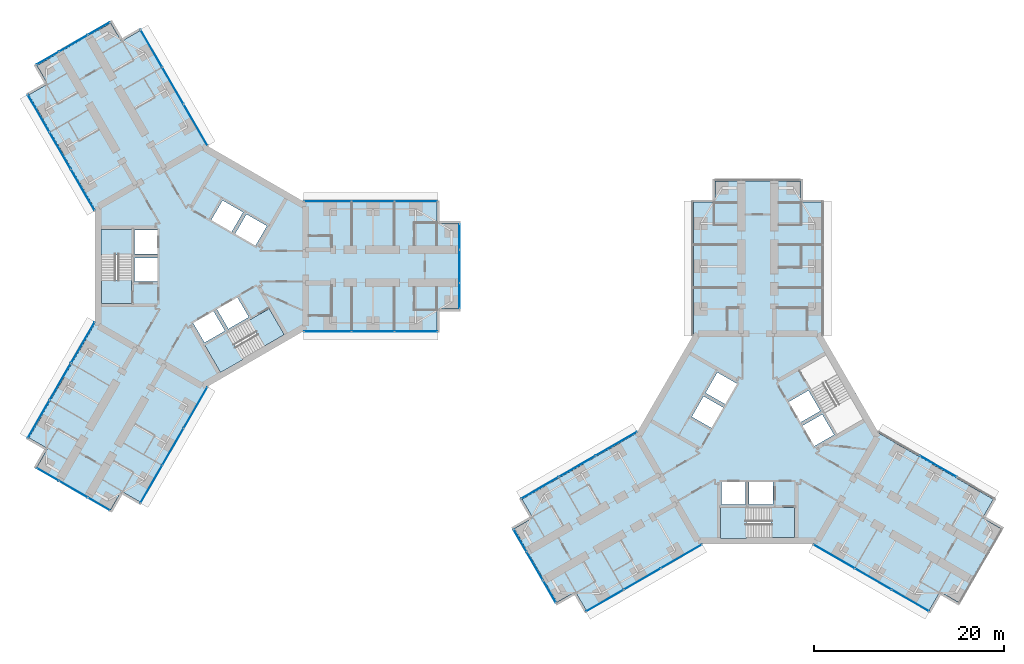
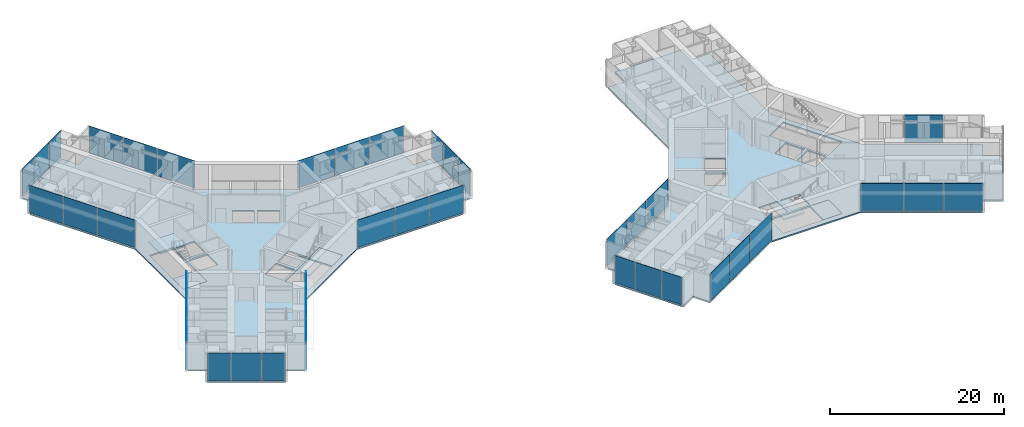
# One storey, part 14 of 25: 40 plates, 8 slabs, 17 elements without a shape of their own.
"""IFC4 building model written with IfcOpenShell, lengths in metres."""

import ifcopenshell
import ifcopenshell.guid

model = None  # the IFC model being written
_history = None  # IfcOwnerHistory: only IFC2X3 demands one
_inside = {}  # id of a spatial element -> (the spatial element, [elements in it])
_under = {}  # id of a project, library or spatial element -> (it, [spatial elements below it])
_declared = {}  # id of a project -> (the project, [libraries it declares])
_typed = {}  # id of a type object -> (the type object, [elements of that type])
_made_of = {}  # id of a material, layer set ... -> (it, [elements and type objects made of it])


def new_model(schema):
    """Start an empty IFC model of exactly this schema.

    Asked for "IFC4X3", IfcOpenShell would pick the latest addendum, in which some entities
    have other attributes; the version numbers below select the first issue.
    IFC2X3 requires an IfcOwnerHistory on every rooted entity: one is made here for all.
    """
    global model, _history
    if schema == "IFC4X3":
        model = ifcopenshell.file(schema_version=(4, 3, 0, 0))
    else:
        model = ifcopenshell.file(schema=schema)
    _inside.clear()
    _under.clear()
    _declared.clear()
    _typed.clear()
    _made_of.clear()
    _history = None
    if model.schema == "IFC2X3":
        org = make("IfcOrganization", Name="unknown")
        user = make(
            "IfcPersonAndOrganization",
            ThePerson=make("IfcPerson", FamilyName="unknown"),
            TheOrganization=org,
        )
        app = make(
            "IfcApplication",
            ApplicationDeveloper=org,
            Version="unknown",
            ApplicationFullName="unknown",
            ApplicationIdentifier="unknown",
        )
        _history = make(
            "IfcOwnerHistory",
            OwningUser=user,
            OwningApplication=app,
            ChangeAction="ADDED",
            CreationDate=0,
        )
    return model


def make(cls, **values):
    """One entity of the class cls with the attributes given. An attribute that is None is left unset."""
    return model.create_entity(
        cls, **{name: value for name, value in values.items() if value is not None}
    )


def rooted(cls, **values):
    """An entity with a GlobalId (a new one), such as an element, a storey or a relation."""
    return make(cls, GlobalId=ifcopenshell.guid.new(), OwnerHistory=_history, **values)


def si_unit(unit_type, name, prefix=None):
    """IfcSIUnit, for example si_unit("LENGTHUNIT", "METRE", prefix="MILLI")."""
    return make("IfcSIUnit", UnitType=unit_type, Prefix=prefix, Name=name)


def assignment(units):
    """IfcUnitAssignment: the units of a project."""
    return None if units is None else make("IfcUnitAssignment", Units=units)


def point(xyz):
    """IfcCartesianPoint."""
    return None if xyz is None else make("IfcCartesianPoint", Coordinates=xyz)


def direction(xyz):
    """IfcDirection."""
    return None if xyz is None else make("IfcDirection", DirectionRatios=xyz)


def frame(location, z_axis=None, x_axis=None):
    """IfcAxis2Placement3D, a coordinate frame: its origin and axes. An axis left out is left unset."""
    return make(
        "IfcAxis2Placement3D",
        Location=point(location),
        Axis=direction(z_axis),
        RefDirection=direction(x_axis),
    )


def frame_2d(location, x_axis=None):
    """IfcAxis2Placement2D, a coordinate frame in the plane: its origin and x axis."""
    return make(
        "IfcAxis2Placement2D", Location=point(location), RefDirection=direction(x_axis)
    )


def origin():
    """The frame at (0, 0, 0) with its axes left unset."""
    return frame((0.0, 0.0, 0.0))


def origin_2d():
    """The frame at (0, 0) in the plane with its x axis left unset."""
    return frame_2d((0.0, 0.0))


def place(relative_to, where):
    """IfcLocalPlacement: puts the frame where relative to a parent placement (None: the world)."""
    return make(
        "IfcLocalPlacement", PlacementRelTo=relative_to, RelativePlacement=where
    )


def context(
    kind, dimensions, precision=None, world=None, true_north=None, identifier=None
):
    """IfcGeometricRepresentationContext, for example the 3D "Model" context."""
    return make(
        "IfcGeometricRepresentationContext",
        ContextIdentifier=identifier,
        ContextType=kind,
        CoordinateSpaceDimension=dimensions,
        Precision=precision,
        WorldCoordinateSystem=world,
        TrueNorth=true_north,
    )


def subcontext(parent, identifier, kind, view, scale=None):
    """IfcGeometricRepresentationSubContext, for example "Body" below "Model"."""
    return make(
        "IfcGeometricRepresentationSubContext",
        ContextIdentifier=identifier,
        ContextType=kind,
        ParentContext=parent,
        TargetScale=scale,
        TargetView=view,
    )


def project(units=None, contexts=None):
    """IfcProject with its units and contexts."""
    return rooted(
        "IfcProject",
        Name="project",
        RepresentationContexts=contexts,
        UnitsInContext=assignment(units),
    )


def spatial(cls, under=None, at=None, **own):
    """A site, building, storey or space (cls), placed at a placement, below another one or the project."""
    s = rooted(cls, ObjectPlacement=at, **own)
    if under is not None:
        _under.setdefault(under.id(), (under, []))[1].append(s)
    return s


def polyline(points):
    """IfcPolyline through the points."""
    return make("IfcPolyline", Points=[point(p) for p in points])


def profile(cls, at=None, kind="AREA", **sizes):
    """A parametric profile (cls). Its sizes go by their IFC names, for example OverallWidth=200.0."""
    return make(cls, ProfileType=kind, Position=at, **sizes)


def rectangle(**sizes):
    """IfcRectangleProfileDef."""
    return profile("IfcRectangleProfileDef", **sizes)


def outline(outer, holes=None, kind="AREA"):
    """IfcArbitraryClosedProfileDef: a profile drawn as a closed curve; with holes, ...WithVoids."""
    if holes is None:
        return make("IfcArbitraryClosedProfileDef", ProfileType=kind, OuterCurve=outer)
    return make(
        "IfcArbitraryProfileDefWithVoids",
        ProfileType=kind,
        OuterCurve=outer,
        InnerCurves=holes,
    )


def extrude(swept, where, along, depth):
    """IfcExtrudedAreaSolid: the profile swept, set in the frame where, extruded along a direction by depth."""
    return make(
        "IfcExtrudedAreaSolid",
        SweptArea=swept,
        Position=where,
        ExtrudedDirection=direction(along),
        Depth=depth,
    )


def shape(context_of_items, identifier, shape_type, items):
    """IfcShapeRepresentation: the items that make up one representation, for example the "Body"."""
    return make(
        "IfcShapeRepresentation",
        ContextOfItems=context_of_items,
        RepresentationIdentifier=identifier,
        RepresentationType=shape_type,
        Items=items,
    )


def material(Name=None, Category=None):
    """IfcMaterial."""
    return make("IfcMaterial", Name=Name, Category=Category)


def layer(
    of_material, thickness, ventilated=None, Name=None, Category=None, Priority=None
):
    """IfcMaterialLayer: one layer of a wall or slab, of a material (None: an air gap)."""
    return make(
        "IfcMaterialLayer",
        Material=of_material,
        LayerThickness=thickness,
        IsVentilated=ventilated,
        Name=Name,
        Category=Category,
        Priority=Priority,
    )


def layer_set(layers, Name=None):
    """IfcMaterialLayerSet."""
    return make("IfcMaterialLayerSet", MaterialLayers=layers, LayerSetName=Name)


def made_of(thing, what):
    """Note that an element or type object is made of a material, layer set ...; save() writes the relation."""
    if what is not None:
        _made_of.setdefault(what.id(), (what, []))[1].append(thing)
    return thing


def type_object(cls, material=None, **own):
    """A type object (cls), such as IfcWallType, which elements share."""
    return made_of(rooted(cls, **own), material)


def element(
    cls,
    number,
    at=None,
    inside=None,
    cuts=None,
    type_object=None,
    material=None,
    context=None,
    identifier="Body",
    shape_type=None,
    held_by="IfcProductDefinitionShape",
    body=None,
    shapes=None,
    **own,
):
    """One element of the class cls, such as IfcWall. Its Tag is "e" and its number.

    at: its placement. inside: the storey or other place that contains it. cuts: it is an
    opening in that element (IfcRelVoidsElement). A single representation is given by context,
    identifier, shape_type and body (its items); several are given by shapes. held_by: the class
    of the entity that holds the representations. save() writes the other relations.
    """
    e = rooted(cls, Tag="e%d" % number, ObjectPlacement=at, **own)
    if body is not None:
        shapes = [shape(context, identifier, shape_type, body)]
    if shapes is not None:
        e.Representation = make(held_by, Representations=shapes)
    if inside is not None:
        _inside.setdefault(inside.id(), (inside, []))[1].append(e)
    if cuts is not None:
        rooted(
            "IfcRelVoidsElement", RelatingBuildingElement=cuts, RelatedOpeningElement=e
        )
    if type_object is not None:
        _typed.setdefault(type_object.id(), (type_object, []))[1].append(e)
    return made_of(e, material)


def aggregate(whole, parts):
    """IfcRelAggregates: a whole, such as a stair, and the parts it consists of."""
    return rooted("IfcRelAggregates", RelatingObject=whole, RelatedObjects=parts)


def save(model, path):
    """Write the relations noted so far, then the file.

    IfcRelAggregates (storeys below a building ...), IfcRelContainedInSpatialStructure (elements
    in a storey), IfcRelDefinesByType, IfcRelAssociatesMaterial and IfcRelDeclares: one each for
    every whole, place, type object, material and project.
    """
    for whole, parts in _under.values():
        aggregate(whole, parts)
    for where, things in _inside.values():
        rooted(
            "IfcRelContainedInSpatialStructure",
            RelatedElements=things,
            RelatingStructure=where,
        )
    for kind, things in _typed.values():
        rooted("IfcRelDefinesByType", RelatedObjects=things, RelatingType=kind)
    for what, things in _made_of.values():
        rooted("IfcRelAssociatesMaterial", RelatedObjects=things, RelatingMaterial=what)
    for by, libraries in _declared.values():
        rooted("IfcRelDeclares", RelatingContext=by, RelatedDefinitions=libraries)
    model.write(path)


model = new_model("IFC4")

# Units and contexts
model_context = context("Model", 3, precision=1e-05, world=origin(), true_north=direction((0.0, 1.0)))
body_context = subcontext(model_context, "Body", "Model", "MODEL_VIEW")
ifc_project = project(units=[si_unit("LENGTHUNIT", "METRE"), si_unit("AREAUNIT", "SQUARE_METRE"), si_unit("VOLUMEUNIT", "CUBIC_METRE"), si_unit("PLANEANGLEUNIT", "RADIAN"), si_unit("MASSUNIT", "GRAM", prefix="KILO")], contexts=[model_context])

# Site, building, storey
site_placement = place(None, origin())
site = spatial("IfcSite", under=ifc_project, at=site_placement, CompositionType="ELEMENT")
building_placement = place(site_placement, origin())
building = spatial("IfcBuilding", under=site, at=building_placement, Name="Upepo Twin Towers", CompositionType="ELEMENT")
storey_placement = place(building_placement, frame((0.0, 0.0, 72.5)))
storey = spatial("IfcBuildingStorey", under=building, at=storey_placement, Name="L17", CompositionType="ELEMENT", Elevation=72.5)

# Curtain wall, plates
ifc_material_1 = material(Name="Aluminium and fritted glass", Category="aluminium")
curtain_wall_type = type_object("IfcCurtainWallType", Name="Tower curtain wall TW1, fritted glass", PredefinedType="NOTDEFINED", material=ifc_material_1)
curtain_wall_1_placement = place(storey_placement, origin())
curtain_wall_1 = element("IfcCurtainWall", 1, at=curtain_wall_1_placement, inside=storey, type_object=curtain_wall_type, Name="T1 L17 wing A flank L curtain wall", PredefinedType="NOTDEFINED")
ifc_material_2 = material(Name="Ceramic-fritted laminated glass", Category="glass")
ifc_layer_1 = layer(ifc_material_2, 0.031982421875)
ifc_layer_set_1 = layer_set([ifc_layer_1], Name="Fritted glass panel, 30 per cent dot frit, 32 mm double glazed")
plate_type_1 = type_object("IfcPlateType", Name="Fritted glass panel, 30 per cent dot frit, 32 mm double glazed", PredefinedType="CURTAIN_PANEL", material=ifc_layer_set_1)
plate_1_placement = place(storey_placement, frame((13.23486328125, 6.85009765625, 0.14990234375), z_axis=(0.0, 0.0, 1.0), x_axis=(1.0, 0.0, 0.0)))
plate_1 = element("IfcPlate", 2, at=plate_1_placement, type_object=plate_type_1, Name="T1 L17 wing A flank L curtain wall panel 1", PredefinedType="CURTAIN_PANEL", context=body_context, shape_type="SweptSolid", body=[
    extrude(rectangle(XDim=4.96533203125, YDim=0.031982421875, at=origin_2d()), origin(), (0.0, 0.0, 1.0), 3.85009765625),
])
plate_2_placement = place(storey_placement, frame((18.0, 6.85009765625, 0.14990234375), z_axis=(0.0, 0.0, 1.0), x_axis=(1.0, 0.0, 0.0)))
plate_2 = element("IfcPlate", 3, at=plate_2_placement, type_object=plate_type_1, Name="T1 L17 wing A flank L curtain wall panel 2", PredefinedType="CURTAIN_PANEL", context=body_context, shape_type="SweptSolid", body=[
    extrude(rectangle(XDim=4.43505859375, YDim=0.031982421875, at=origin_2d()), origin(), (0.0, 0.0, 1.0), 3.85009765625),
])
plate_3_placement = place(storey_placement, frame((22.53369140625, 6.85009765625, 0.14990234375), z_axis=(0.0, 0.0, 1.0), x_axis=(1.0, 0.0, 0.0)))
plate_3 = element("IfcPlate", 4, at=plate_3_placement, type_object=plate_type_1, Name="T1 L17 wing A flank L curtain wall panel 3", PredefinedType="CURTAIN_PANEL", context=body_context, shape_type="SweptSolid", body=[
    extrude(rectangle(XDim=4.50244140625, YDim=0.031982421875, at=origin_2d()), origin(), (0.0, 0.0, 1.0), 3.85009765625),
])
aggregate(curtain_wall_1, [plate_1, plate_2, plate_3])

curtain_wall_2_placement = place(storey_placement, origin())
curtain_wall_2 = element("IfcCurtainWall", 5, at=curtain_wall_2_placement, inside=storey, type_object=curtain_wall_type, Name="T1 L17 wing A flank R curtain wall", PredefinedType="NOTDEFINED")
plate_4_placement = place(storey_placement, frame((22.53369140625, -6.85009765625, 0.14990234375), z_axis=(0.0, 0.0, 1.0), x_axis=(-1.0, 0.0, 0.0)))
plate_4 = element("IfcPlate", 6, at=plate_4_placement, type_object=plate_type_1, Name="T1 L17 wing A flank R curtain wall panel 1", PredefinedType="CURTAIN_PANEL", context=body_context, shape_type="SweptSolid", body=[
    extrude(rectangle(XDim=4.50244140625, YDim=0.031982421875, at=origin_2d()), origin(), (0.0, 0.0, 1.0), 3.85009765625),
])
plate_5_placement = place(storey_placement, frame((18.0, -6.85009765625, 0.14990234375), z_axis=(0.0, 0.0, 1.0), x_axis=(-1.0, 0.0, 0.0)))
plate_5 = element("IfcPlate", 7, at=plate_5_placement, type_object=plate_type_1, Name="T1 L17 wing A flank R curtain wall panel 2", PredefinedType="CURTAIN_PANEL", context=body_context, shape_type="SweptSolid", body=[
    extrude(rectangle(XDim=4.43505859375, YDim=0.031982421875, at=origin_2d()), origin(), (0.0, 0.0, 1.0), 3.85009765625),
])
plate_6_placement = place(storey_placement, frame((13.23486328125, -6.85009765625, 0.14990234375), z_axis=(0.0, 0.0, 1.0), x_axis=(-1.0, 0.0, 0.0)))
plate_6 = element("IfcPlate", 8, at=plate_6_placement, type_object=plate_type_1, Name="T1 L17 wing A flank R curtain wall panel 3", PredefinedType="CURTAIN_PANEL", context=body_context, shape_type="SweptSolid", body=[
    extrude(rectangle(XDim=4.96533203125, YDim=0.031982421875, at=origin_2d()), origin(), (0.0, 0.0, 1.0), 3.85009765625),
])
aggregate(curtain_wall_2, [plate_4, plate_5, plate_6])

# Curtain wall, plate
curtain_wall_3_placement = place(storey_placement, origin())
curtain_wall_3 = element("IfcCurtainWall", 9, at=curtain_wall_3_placement, inside=storey, type_object=curtain_wall_type, Name="T1 L17 wing A nose curtain wall", PredefinedType="NOTDEFINED")
plate_7_placement = place(storey_placement, frame((27.10009765625, 0.0, 0.14990234375), z_axis=(0.0, 0.0, 1.0), x_axis=(0.0, 1.0, 0.0)))
plate_7 = element("IfcPlate", 10, at=plate_7_placement, type_object=plate_type_1, Name="T1 L17 wing A nose curtain wall panel 2", PredefinedType="CURTAIN_PANEL", context=body_context, shape_type="SweptSolid", body=[
    extrude(rectangle(XDim=3.43505859375, YDim=0.031982421875, at=origin_2d()), origin(), (0.0, 0.0, 1.0), 3.85009765625),
])

# Curtain wall, plates
curtain_wall_4_placement = place(storey_placement, origin())
curtain_wall_4 = element("IfcCurtainWall", 11, at=curtain_wall_4_placement, inside=storey, type_object=curtain_wall_type, Name="T1 L17 wing B flank L curtain wall", PredefinedType="NOTDEFINED")
plate_8_placement = place(storey_placement, frame((-12.549560546875, 8.03662109375, 0.14990234375), z_axis=(0.0, 0.0, 1.0), x_axis=(-0.500000024426, 0.866025389682, 0.0)))
plate_8 = element("IfcPlate", 12, at=plate_8_placement, type_object=plate_type_1, Name="T1 L17 wing B flank L curtain wall panel 1", PredefinedType="CURTAIN_PANEL", context=body_context, shape_type="SweptSolid", body=[
    extrude(rectangle(XDim=4.96533203125, YDim=0.031982421875, at=origin_2d()), origin(), (0.0, 0.0, 1.0), 3.85009765625),
])
plate_9_placement = place(storey_placement, frame((-14.932373046875, 12.16357421875, 0.14990234375), z_axis=(0.0, 0.0, 1.0), x_axis=(-0.500000024426, 0.866025389682, 0.0)))
plate_9 = element("IfcPlate", 13, at=plate_9_placement, type_object=plate_type_1, Name="T1 L17 wing B flank L curtain wall panel 2", PredefinedType="CURTAIN_PANEL", context=body_context, shape_type="SweptSolid", body=[
    extrude(rectangle(XDim=4.43505859375, YDim=0.031982421875, at=origin_2d()), origin(), (0.0, 0.0, 1.0), 3.85009765625),
])
plate_10_placement = place(storey_placement, frame((-17.19921875, 16.08984375, 0.14990234375), z_axis=(0.0, 0.0, 1.0), x_axis=(-0.500000024426, 0.866025389682, 0.0)))
plate_10 = element("IfcPlate", 14, at=plate_10_placement, type_object=plate_type_1, Name="T1 L17 wing B flank L curtain wall panel 3", PredefinedType="CURTAIN_PANEL", context=body_context, shape_type="SweptSolid", body=[
    extrude(rectangle(XDim=4.50244140625, YDim=0.031982421875, at=origin_2d()), origin(), (0.0, 0.0, 1.0), 3.85009765625),
])
aggregate(curtain_wall_4, [plate_8, plate_9, plate_10])

curtain_wall_5_placement = place(storey_placement, origin())
curtain_wall_5 = element("IfcCurtainWall", 15, at=curtain_wall_5_placement, inside=storey, type_object=curtain_wall_type, Name="T1 L17 wing B flank R curtain wall", PredefinedType="NOTDEFINED")
plate_11_placement = place(storey_placement, frame((-5.334716796875, 22.939697265625, 0.14990234375), z_axis=(0.0, 0.0, 1.0), x_axis=(0.500000024426, -0.866025389682, 0.0)))
plate_11 = element("IfcPlate", 16, at=plate_11_placement, type_object=plate_type_1, Name="T1 L17 wing B flank R curtain wall panel 1", PredefinedType="CURTAIN_PANEL", context=body_context, shape_type="SweptSolid", body=[
    extrude(rectangle(XDim=4.50244140625, YDim=0.031982421875, at=origin_2d()), origin(), (0.0, 0.0, 1.0), 3.85009765625),
])
plate_12_placement = place(storey_placement, frame((-3.067626953125, 19.013427734375, 0.14990234375), z_axis=(0.0, 0.0, 1.0), x_axis=(0.500000024426, -0.866025389682, 0.0)))
plate_12 = element("IfcPlate", 17, at=plate_12_placement, type_object=plate_type_1, Name="T1 L17 wing B flank R curtain wall panel 2", PredefinedType="CURTAIN_PANEL", context=body_context, shape_type="SweptSolid", body=[
    extrude(rectangle(XDim=4.43505859375, YDim=0.031982421875, at=origin_2d()), origin(), (0.0, 0.0, 1.0), 3.85009765625),
])
plate_13_placement = place(storey_placement, frame((-0.68505859375, 14.88671875, 0.14990234375), z_axis=(0.0, 0.0, 1.0), x_axis=(0.500000024426, -0.866025389682, 0.0)))
plate_13 = element("IfcPlate", 18, at=plate_13_placement, type_object=plate_type_1, Name="T1 L17 wing B flank R curtain wall panel 3", PredefinedType="CURTAIN_PANEL", context=body_context, shape_type="SweptSolid", body=[
    extrude(rectangle(XDim=4.96533203125, YDim=0.031982421875, at=origin_2d()), origin(), (0.0, 0.0, 1.0), 3.85009765625),
])
aggregate(curtain_wall_5, [plate_11, plate_12, plate_13])

# Curtain wall, plate
curtain_wall_6_placement = place(storey_placement, origin())
curtain_wall_6 = element("IfcCurtainWall", 19, at=curtain_wall_6_placement, inside=storey, type_object=curtain_wall_type, Name="T1 L17 wing B nose curtain wall", PredefinedType="NOTDEFINED")
plate_14_placement = place(storey_placement, frame((-13.550048828125, 23.46923828125, 0.14990234375), z_axis=(0.0, 0.0, 1.0), x_axis=(-0.866025386174, -0.500000030502, 0.0)))
plate_14 = element("IfcPlate", 20, at=plate_14_placement, type_object=plate_type_1, Name="T1 L17 wing B nose curtain wall panel 2", PredefinedType="CURTAIN_PANEL", context=body_context, shape_type="SweptSolid", body=[
    extrude(rectangle(XDim=3.43505859375, YDim=0.031982421875, at=origin_2d()), origin(), (0.0, 0.0, 1.0), 3.85009765625),
])

# Curtain wall, plates
curtain_wall_7_placement = place(storey_placement, origin())
curtain_wall_7 = element("IfcCurtainWall", 21, at=curtain_wall_7_placement, inside=storey, type_object=curtain_wall_type, Name="T1 L17 wing C flank L curtain wall", PredefinedType="NOTDEFINED")
plate_15_placement = place(storey_placement, frame((-0.68505859375, -14.88671875, 0.14990234375), z_axis=(0.0, 0.0, 1.0), x_axis=(-0.500000024426, -0.866025389682, 0.0)))
plate_15 = element("IfcPlate", 22, at=plate_15_placement, type_object=plate_type_1, Name="T1 L17 wing C flank L curtain wall panel 1", PredefinedType="CURTAIN_PANEL", context=body_context, shape_type="SweptSolid", body=[
    extrude(rectangle(XDim=4.96533203125, YDim=0.031982421875, at=origin_2d()), origin(), (0.0, 0.0, 1.0), 3.85009765625),
])
plate_16_placement = place(storey_placement, frame((-3.067626953125, -19.013427734375, 0.14990234375), z_axis=(0.0, 0.0, 1.0), x_axis=(-0.500000024426, -0.866025389682, 0.0)))
plate_16 = element("IfcPlate", 23, at=plate_16_placement, type_object=plate_type_1, Name="T1 L17 wing C flank L curtain wall panel 2", PredefinedType="CURTAIN_PANEL", context=body_context, shape_type="SweptSolid", body=[
    extrude(rectangle(XDim=4.43505859375, YDim=0.031982421875, at=origin_2d()), origin(), (0.0, 0.0, 1.0), 3.85009765625),
])
plate_17_placement = place(storey_placement, frame((-5.334716796875, -22.939697265625, 0.14990234375), z_axis=(0.0, 0.0, 1.0), x_axis=(-0.500000024426, -0.866025389682, 0.0)))
plate_17 = element("IfcPlate", 24, at=plate_17_placement, type_object=plate_type_1, Name="T1 L17 wing C flank L curtain wall panel 3", PredefinedType="CURTAIN_PANEL", context=body_context, shape_type="SweptSolid", body=[
    extrude(rectangle(XDim=4.50244140625, YDim=0.031982421875, at=origin_2d()), origin(), (0.0, 0.0, 1.0), 3.85009765625),
])
aggregate(curtain_wall_7, [plate_15, plate_16, plate_17])

curtain_wall_8_placement = place(storey_placement, origin())
curtain_wall_8 = element("IfcCurtainWall", 25, at=curtain_wall_8_placement, inside=storey, type_object=curtain_wall_type, Name="T1 L17 wing C flank R curtain wall", PredefinedType="NOTDEFINED")
plate_18_placement = place(storey_placement, frame((-17.19921875, -16.08984375, 0.14990234375), z_axis=(0.0, 0.0, 1.0), x_axis=(0.500000024426, 0.866025389682, 0.0)))
plate_18 = element("IfcPlate", 26, at=plate_18_placement, type_object=plate_type_1, Name="T1 L17 wing C flank R curtain wall panel 1", PredefinedType="CURTAIN_PANEL", context=body_context, shape_type="SweptSolid", body=[
    extrude(rectangle(XDim=4.50244140625, YDim=0.031982421875, at=origin_2d()), origin(), (0.0, 0.0, 1.0), 3.85009765625),
])
plate_19_placement = place(storey_placement, frame((-14.932373046875, -12.16357421875, 0.14990234375), z_axis=(0.0, 0.0, 1.0), x_axis=(0.500000024426, 0.866025389682, 0.0)))
plate_19 = element("IfcPlate", 27, at=plate_19_placement, type_object=plate_type_1, Name="T1 L17 wing C flank R curtain wall panel 2", PredefinedType="CURTAIN_PANEL", context=body_context, shape_type="SweptSolid", body=[
    extrude(rectangle(XDim=4.43505859375, YDim=0.031982421875, at=origin_2d()), origin(), (0.0, 0.0, 1.0), 3.85009765625),
])
plate_20_placement = place(storey_placement, frame((-12.549560546875, -8.03662109375, 0.14990234375), z_axis=(0.0, 0.0, 1.0), x_axis=(0.500000024426, 0.866025389682, 0.0)))
plate_20 = element("IfcPlate", 28, at=plate_20_placement, type_object=plate_type_1, Name="T1 L17 wing C flank R curtain wall panel 3", PredefinedType="CURTAIN_PANEL", context=body_context, shape_type="SweptSolid", body=[
    extrude(rectangle(XDim=4.96533203125, YDim=0.031982421875, at=origin_2d()), origin(), (0.0, 0.0, 1.0), 3.85009765625),
])
aggregate(curtain_wall_8, [plate_18, plate_19, plate_20])

# Curtain wall, plate
curtain_wall_9_placement = place(storey_placement, origin())
curtain_wall_9 = element("IfcCurtainWall", 29, at=curtain_wall_9_placement, inside=storey, type_object=curtain_wall_type, Name="T1 L17 wing C nose curtain wall", PredefinedType="NOTDEFINED")
plate_21_placement = place(storey_placement, frame((-13.550048828125, -23.46923828125, 0.14990234375), z_axis=(0.0, 0.0, 1.0), x_axis=(0.866025386174, -0.500000030502, 0.0)))
plate_21 = element("IfcPlate", 30, at=plate_21_placement, type_object=plate_type_1, Name="T1 L17 wing C nose curtain wall panel 2", PredefinedType="CURTAIN_PANEL", context=body_context, shape_type="SweptSolid", body=[
    extrude(rectangle(XDim=3.43505859375, YDim=0.031982421875, at=origin_2d()), origin(), (0.0, 0.0, 1.0), 3.85009765625),
])

# Curtain wall, plates
curtain_wall_10_placement = place(storey_placement, origin())
curtain_wall_10 = element("IfcCurtainWall", 31, at=curtain_wall_10_placement, inside=storey, type_object=curtain_wall_type, Name="T2 L17 wing B flank L curtain wall", PredefinedType="NOTDEFINED")
plate_22_placement = place(storey_placement, frame((50.46337890625, -30.549560546875, 0.14990234375), z_axis=(0.0, 0.0, 1.0), x_axis=(-0.866025389682, -0.500000024426, 0.0)))
plate_22 = element("IfcPlate", 32, at=plate_22_placement, type_object=plate_type_1, Name="T2 L17 wing B flank L curtain wall panel 1", PredefinedType="CURTAIN_PANEL", context=body_context, shape_type="SweptSolid", body=[
    extrude(rectangle(XDim=4.96533203125, YDim=0.031982421875, at=origin_2d()), origin(), (0.0, 0.0, 1.0), 3.85009765625),
])
plate_23_placement = place(storey_placement, frame((46.33642578125, -32.932373046875, 0.14990234375), z_axis=(0.0, 0.0, 1.0), x_axis=(-0.866025389682, -0.500000024426, 0.0)))
plate_23 = element("IfcPlate", 33, at=plate_23_placement, type_object=plate_type_1, Name="T2 L17 wing B flank L curtain wall panel 2", PredefinedType="CURTAIN_PANEL", context=body_context, shape_type="SweptSolid", body=[
    extrude(rectangle(XDim=4.43505859375, YDim=0.031982421875, at=origin_2d()), origin(), (0.0, 0.0, 1.0), 3.85009765625),
])
plate_24_placement = place(storey_placement, frame((42.41015625, -35.19921875, 0.14990234375), z_axis=(0.0, 0.0, 1.0), x_axis=(-0.866025389682, -0.500000024426, 0.0)))
plate_24 = element("IfcPlate", 34, at=plate_24_placement, type_object=plate_type_1, Name="T2 L17 wing B flank L curtain wall panel 3", PredefinedType="CURTAIN_PANEL", context=body_context, shape_type="SweptSolid", body=[
    extrude(rectangle(XDim=4.50244140625, YDim=0.031982421875, at=origin_2d()), origin(), (0.0, 0.0, 1.0), 3.85009765625),
])
aggregate(curtain_wall_10, [plate_22, plate_23, plate_24])

curtain_wall_11_placement = place(storey_placement, origin())
curtain_wall_11 = element("IfcCurtainWall", 35, at=curtain_wall_11_placement, inside=storey, type_object=curtain_wall_type, Name="T2 L17 wing B flank R curtain wall", PredefinedType="NOTDEFINED")
plate_25_placement = place(storey_placement, frame((35.560302734375, -23.334716796875, 0.14990234375), z_axis=(0.0, 0.0, 1.0), x_axis=(0.866025389682, 0.500000024426, 0.0)))
plate_25 = element("IfcPlate", 36, at=plate_25_placement, type_object=plate_type_1, Name="T2 L17 wing B flank R curtain wall panel 1", PredefinedType="CURTAIN_PANEL", context=body_context, shape_type="SweptSolid", body=[
    extrude(rectangle(XDim=4.50244140625, YDim=0.031982421875, at=origin_2d()), origin(), (0.0, 0.0, 1.0), 3.85009765625),
])
plate_26_placement = place(storey_placement, frame((39.486572265625, -21.067626953125, 0.14990234375), z_axis=(0.0, 0.0, 1.0), x_axis=(0.866025389682, 0.500000024426, 0.0)))
plate_26 = element("IfcPlate", 37, at=plate_26_placement, type_object=plate_type_1, Name="T2 L17 wing B flank R curtain wall panel 2", PredefinedType="CURTAIN_PANEL", context=body_context, shape_type="SweptSolid", body=[
    extrude(rectangle(XDim=4.43505859375, YDim=0.031982421875, at=origin_2d()), origin(), (0.0, 0.0, 1.0), 3.85009765625),
])
plate_27_placement = place(storey_placement, frame((43.61328125, -18.68505859375, 0.14990234375), z_axis=(0.0, 0.0, 1.0), x_axis=(0.866025389682, 0.500000024426, 0.0)))
plate_27 = element("IfcPlate", 38, at=plate_27_placement, type_object=plate_type_1, Name="T2 L17 wing B flank R curtain wall panel 3", PredefinedType="CURTAIN_PANEL", context=body_context, shape_type="SweptSolid", body=[
    extrude(rectangle(XDim=4.96533203125, YDim=0.031982421875, at=origin_2d()), origin(), (0.0, 0.0, 1.0), 3.85009765625),
])
aggregate(curtain_wall_11, [plate_25, plate_26, plate_27])

# Curtain wall, plate
curtain_wall_12_placement = place(storey_placement, origin())
curtain_wall_12 = element("IfcCurtainWall", 39, at=curtain_wall_12_placement, inside=storey, type_object=curtain_wall_type, Name="T2 L17 wing B nose curtain wall", PredefinedType="NOTDEFINED")
plate_28_placement = place(storey_placement, frame((35.03076171875, -31.550048828125, 0.14990234375), z_axis=(0.0, 0.0, 1.0), x_axis=(0.500000030502, -0.866025386174, 0.0)))
plate_28 = element("IfcPlate", 40, at=plate_28_placement, type_object=plate_type_1, Name="T2 L17 wing B nose curtain wall panel 2", PredefinedType="CURTAIN_PANEL", context=body_context, shape_type="SweptSolid", body=[
    extrude(rectangle(XDim=3.43505859375, YDim=0.031982421875, at=origin_2d()), origin(), (0.0, 0.0, 1.0), 3.85009765625),
])

curtain_wall_13_placement = place(storey_placement, origin())
curtain_wall_13 = element("IfcCurtainWall", 41, at=curtain_wall_13_placement, inside=storey, type_object=curtain_wall_type, Name="T2 L17 wing C flank L curtain wall", PredefinedType="NOTDEFINED")
plate_29_placement = place(storey_placement, frame((77.513427734375, -21.067626953125, 0.14990234375), z_axis=(0.0, 0.0, 1.0), x_axis=(0.866025389682, -0.500000024426, 0.0)))
plate_29 = element("IfcPlate", 42, at=plate_29_placement, type_object=plate_type_1, Name="T2 L17 wing C flank L curtain wall panel 2", PredefinedType="CURTAIN_PANEL", context=body_context, shape_type="SweptSolid", body=[
    extrude(rectangle(XDim=4.43505859375, YDim=0.031982421875, at=origin_2d()), origin(), (0.0, 0.0, 1.0), 3.85009765625),
])
aggregate(curtain_wall_13, [plate_29])

# Curtain wall, plates
curtain_wall_14_placement = place(storey_placement, origin())
curtain_wall_14 = element("IfcCurtainWall", 43, at=curtain_wall_14_placement, inside=storey, type_object=curtain_wall_type, Name="T2 L17 wing C flank R curtain wall", PredefinedType="NOTDEFINED")
plate_30_placement = place(storey_placement, frame((74.58984375, -35.19921875, 0.14990234375), z_axis=(0.0, 0.0, 1.0), x_axis=(-0.866025389682, 0.500000024426, 0.0)))
plate_30 = element("IfcPlate", 44, at=plate_30_placement, type_object=plate_type_1, Name="T2 L17 wing C flank R curtain wall panel 1", PredefinedType="CURTAIN_PANEL", context=body_context, shape_type="SweptSolid", body=[
    extrude(rectangle(XDim=4.50244140625, YDim=0.031982421875, at=origin_2d()), origin(), (0.0, 0.0, 1.0), 3.85009765625),
])
plate_31_placement = place(storey_placement, frame((70.66357421875, -32.932373046875, 0.14990234375), z_axis=(0.0, 0.0, 1.0), x_axis=(-0.866025389682, 0.500000024426, 0.0)))
plate_31 = element("IfcPlate", 45, at=plate_31_placement, type_object=plate_type_1, Name="T2 L17 wing C flank R curtain wall panel 2", PredefinedType="CURTAIN_PANEL", context=body_context, shape_type="SweptSolid", body=[
    extrude(rectangle(XDim=4.43505859375, YDim=0.031982421875, at=origin_2d()), origin(), (0.0, 0.0, 1.0), 3.85009765625),
])
plate_32_placement = place(storey_placement, frame((66.53662109375, -30.549560546875, 0.14990234375), z_axis=(0.0, 0.0, 1.0), x_axis=(-0.866025389682, 0.500000024426, 0.0)))
plate_32 = element("IfcPlate", 46, at=plate_32_placement, type_object=plate_type_1, Name="T2 L17 wing C flank R curtain wall panel 3", PredefinedType="CURTAIN_PANEL", context=body_context, shape_type="SweptSolid", body=[
    extrude(rectangle(XDim=4.96533203125, YDim=0.031982421875, at=origin_2d()), origin(), (0.0, 0.0, 1.0), 3.85009765625),
])
aggregate(curtain_wall_14, [plate_30, plate_31, plate_32])

# Plate
ifc_material_3 = material(Name="Clear laminated glass in opening sash", Category="glass")
ifc_layer_2 = layer(ifc_material_3, 0.031982421875)
ifc_layer_set_2 = layer_set([ifc_layer_2], Name="Operable glass panel, 32 mm double glazed")
plate_type_2 = type_object("IfcPlateType", Name="Operable glass panel, 32 mm double glazed", PredefinedType="CURTAIN_PANEL", material=ifc_layer_set_2)
plate_33_placement = place(storey_placement, frame((27.10009765625, -3.108642578125, 0.14990234375), z_axis=(0.0, 0.0, 1.0), x_axis=(0.0, 1.0, 0.0)))
plate_33 = element("IfcPlate", 47, at=plate_33_placement, type_object=plate_type_2, Name="T1 L17 wing A nose curtain wall panel 1", PredefinedType="CURTAIN_PANEL", context=body_context, shape_type="SweptSolid", body=[
    extrude(rectangle(XDim=2.652587890625, YDim=0.031982421875, at=origin_2d()), origin(), (0.0, 0.0, 1.0), 3.85009765625),
])

plate_34_placement = place(storey_placement, frame((27.10009765625, 3.108642578125, 0.14990234375), z_axis=(0.0, 0.0, 1.0), x_axis=(0.0, 1.0, 0.0)))
plate_34 = element("IfcPlate", 48, at=plate_34_placement, type_object=plate_type_2, Name="T1 L17 wing A nose curtain wall panel 3", PredefinedType="CURTAIN_PANEL", context=body_context, shape_type="SweptSolid", body=[
    extrude(rectangle(XDim=2.652587890625, YDim=0.031982421875, at=origin_2d()), origin(), (0.0, 0.0, 1.0), 3.85009765625),
])

aggregate(curtain_wall_3, [plate_33, plate_7, plate_34])

plate_35_placement = place(storey_placement, frame((-10.857666015625, 25.023681640625, 0.14990234375), z_axis=(0.0, 0.0, 1.0), x_axis=(-0.866025386174, -0.500000030502, 0.0)))
plate_35 = element("IfcPlate", 49, at=plate_35_placement, type_object=plate_type_2, Name="T1 L17 wing B nose curtain wall panel 1", PredefinedType="CURTAIN_PANEL", context=body_context, shape_type="SweptSolid", body=[
    extrude(rectangle(XDim=2.652587890625, YDim=0.031982421875, at=origin_2d()), origin(), (0.0, 0.0, 1.0), 3.85009765625),
])

plate_36_placement = place(storey_placement, frame((-16.2421875, 21.914794921875, 0.14990234375), z_axis=(0.0, 0.0, 1.0), x_axis=(-0.866025386174, -0.500000030502, 0.0)))
plate_36 = element("IfcPlate", 50, at=plate_36_placement, type_object=plate_type_2, Name="T1 L17 wing B nose curtain wall panel 3", PredefinedType="CURTAIN_PANEL", context=body_context, shape_type="SweptSolid", body=[
    extrude(rectangle(XDim=2.652587890625, YDim=0.031982421875, at=origin_2d()), origin(), (0.0, 0.0, 1.0), 3.85009765625),
])

aggregate(curtain_wall_6, [plate_35, plate_14, plate_36])

plate_37_placement = place(storey_placement, frame((-16.2421875, -21.914794921875, 0.14990234375), z_axis=(0.0, 0.0, 1.0), x_axis=(0.866025386174, -0.500000030502, 0.0)))
plate_37 = element("IfcPlate", 51, at=plate_37_placement, type_object=plate_type_2, Name="T1 L17 wing C nose curtain wall panel 1", PredefinedType="CURTAIN_PANEL", context=body_context, shape_type="SweptSolid", body=[
    extrude(rectangle(XDim=2.652587890625, YDim=0.031982421875, at=origin_2d()), origin(), (0.0, 0.0, 1.0), 3.85009765625),
])

plate_38_placement = place(storey_placement, frame((-10.857666015625, -25.023681640625, 0.14990234375), z_axis=(0.0, 0.0, 1.0), x_axis=(0.866025386174, -0.500000030502, 0.0)))
plate_38 = element("IfcPlate", 52, at=plate_38_placement, type_object=plate_type_2, Name="T1 L17 wing C nose curtain wall panel 3", PredefinedType="CURTAIN_PANEL", context=body_context, shape_type="SweptSolid", body=[
    extrude(rectangle(XDim=2.652587890625, YDim=0.031982421875, at=origin_2d()), origin(), (0.0, 0.0, 1.0), 3.85009765625),
])

aggregate(curtain_wall_9, [plate_37, plate_21, plate_38])

plate_39_placement = place(storey_placement, frame((33.476318359375, -28.857666015625, 0.14990234375), z_axis=(0.0, 0.0, 1.0), x_axis=(0.500000030502, -0.866025386174, 0.0)))
plate_39 = element("IfcPlate", 53, at=plate_39_placement, type_object=plate_type_2, Name="T2 L17 wing B nose curtain wall panel 1", PredefinedType="CURTAIN_PANEL", context=body_context, shape_type="SweptSolid", body=[
    extrude(rectangle(XDim=2.652587890625, YDim=0.031982421875, at=origin_2d()), origin(), (0.0, 0.0, 1.0), 3.85009765625),
])

plate_40_placement = place(storey_placement, frame((36.585205078125, -34.2421875, 0.14990234375), z_axis=(0.0, 0.0, 1.0), x_axis=(0.500000030502, -0.866025386174, 0.0)))
plate_40 = element("IfcPlate", 54, at=plate_40_placement, type_object=plate_type_2, Name="T2 L17 wing B nose curtain wall panel 3", PredefinedType="CURTAIN_PANEL", context=body_context, shape_type="SweptSolid", body=[
    extrude(rectangle(XDim=2.652587890625, YDim=0.031982421875, at=origin_2d()), origin(), (0.0, 0.0, 1.0), 3.85009765625),
])

aggregate(curtain_wall_12, [plate_39, plate_28, plate_40])

# Stair, slabs
ifc_material_4 = material(Name="Concrete C40/50", Category="concrete")
stair_type = type_object("IfcStairType", Name="Core stair, two flights", PredefinedType="HALF_TURN_STAIR", material=ifc_material_4)
stair_1_placement = place(storey_placement, origin())
stair_1 = element("IfcStair", 55, at=stair_1_placement, inside=storey, type_object=stair_type, Name="T1 stair S1 L17", PredefinedType="HALF_TURN_STAIR")
ifc_material_5 = material(Name="Concrete C40/50", Category="concrete")
ifc_layer_3 = layer(ifc_material_5, 0.199951171875)
ifc_layer_set_3 = layer_set([ifc_layer_3], Name="Concrete C40/50")
slab_type_1 = type_object("IfcSlabType", Name="Stair landing 200 RC", PredefinedType="LANDING", material=ifc_layer_set_3)
slab_1_placement = place(storey_placement, frame((0.0, 0.0, -0.199951171875)))
slab_1 = element("IfcSlab", 56, at=slab_1_placement, type_object=slab_type_1, Name="Stair S1 landing 1", PredefinedType="LANDING", context=body_context, shape_type="SweptSolid", body=[
    extrude(outline(polyline([(-7.39990234375, -1.419921875), (-10.558349609375, -1.419921875), (-10.558349609375, -3.89990234375), (-7.39990234375, -3.89990234375), (-7.39990234375, -1.419921875)])), origin(), (0.0, 0.0, 1.0), 0.199951171875),
])
slab_2_placement = place(storey_placement, frame((0.0, 0.0, 1.800048828125)))
slab_2 = element("IfcSlab", 57, at=slab_2_placement, type_object=slab_type_1, Name="Stair S1 landing 2", PredefinedType="LANDING", context=body_context, shape_type="SweptSolid", body=[
    extrude(outline(polyline([(-7.300048828125, 3.89990234375), (-10.658447265625, 3.89990234375), (-10.658447265625, 1.179931640625), (-7.300048828125, 1.179931640625), (-7.300048828125, 3.89990234375)])), origin(), (0.0, 0.0, 1.0), 0.199951171875),
])
aggregate(stair_1, [slab_1, slab_2])

stair_2_placement = place(storey_placement, origin())
stair_2 = element("IfcStair", 58, at=stair_2_placement, inside=storey, type_object=stair_type, Name="T1 stair S2 L17", PredefinedType="HALF_TURN_STAIR")
slab_3_placement = place(storey_placement, frame((0.0, 0.0, -0.199951171875)))
slab_3 = element("IfcSlab", 59, at=slab_3_placement, type_object=slab_type_1, Name="Stair S2 landing 1", PredefinedType="LANDING", context=body_context, shape_type="SweptSolid", body=[
    extrude(outline(polyline([(4.9296875, -5.698486328125), (6.509033203125, -8.433837890625), (8.65673828125, -7.19384765625), (7.077392578125, -4.45849609375), (4.9296875, -5.698486328125)])), origin(), (0.0, 0.0, 1.0), 0.199951171875),
])
slab_4_placement = place(storey_placement, frame((0.0, 0.0, 1.800048828125)))
slab_4 = element("IfcSlab", 60, at=slab_4_placement, type_object=slab_type_1, Name="Stair S2 landing 2", PredefinedType="LANDING", context=body_context, shape_type="SweptSolid", body=[
    extrude(outline(polyline([(0.2724609375, -8.27197265625), (1.95166015625, -11.180419921875), (4.307373046875, -9.8203125), (2.628173828125, -6.911865234375), (0.2724609375, -8.27197265625)])), origin(), (0.0, 0.0, 1.0), 0.199951171875),
])
aggregate(stair_2, [slab_3, slab_4])

stair_3_placement = place(storey_placement, origin())
stair_3 = element("IfcStair", 61, at=stair_3_placement, inside=storey, type_object=stair_type, Name="T2 stair S1 L17", PredefinedType="HALF_TURN_STAIR")
slab_5_placement = place(storey_placement, frame((0.0, 0.0, -0.199951171875)))
slab_5 = element("IfcSlab", 62, at=slab_5_placement, type_object=slab_type_1, Name="Stair S1 landing 1", PredefinedType="LANDING", context=body_context, shape_type="SweptSolid", body=[
    extrude(outline(polyline([(59.919921875, -25.39990234375), (59.919921875, -28.558349609375), (62.39990234375, -28.558349609375), (62.39990234375, -25.39990234375), (59.919921875, -25.39990234375)])), origin(), (0.0, 0.0, 1.0), 0.199951171875),
])
slab_6_placement = place(storey_placement, frame((0.0, 0.0, 1.800048828125)))
slab_6 = element("IfcSlab", 63, at=slab_6_placement, type_object=slab_type_1, Name="Stair S1 landing 2", PredefinedType="LANDING", context=body_context, shape_type="SweptSolid", body=[
    extrude(outline(polyline([(54.60009765625, -25.300048828125), (54.60009765625, -28.658447265625), (57.320068359375, -28.658447265625), (57.320068359375, -25.300048828125), (54.60009765625, -25.300048828125)])), origin(), (0.0, 0.0, 1.0), 0.199951171875),
])
aggregate(stair_3, [slab_5, slab_6])

# Slabs
ifc_material_6 = material(Name="Concrete C40/50", Category="concrete")
ifc_layer_4 = layer(ifc_material_6, 0.199951171875)
ifc_layer_set_4 = layer_set([ifc_layer_4], Name="Concrete C40/50")
slab_type_2 = type_object("IfcSlabType", Name="Tower floor slab 200 RC", PredefinedType="FLOOR", material=ifc_layer_set_4)
slab_7_placement = place(storey_placement, frame((0.0, 0.0, -0.199951171875)))
element("IfcSlab", 64, at=slab_7_placement, inside=storey, type_object=slab_type_2, Name="T1 L17 floor slab", PredefinedType="FLOOR", context=body_context, shape_type="SweptSolid", body=[
    extrude(outline(polyline([(-8.477783203125, -23.68408203125), (-9.602783203125, -25.632568359375), (-17.397216796875, -21.132568359375), (-16.272216796875, -19.18408203125), (-18.220703125, -18.05908203125), (-11.25830078125, -6.0), (-11.25830078125, 6.0), (-18.220703125, 18.05908203125), (-16.272216796875, 19.18408203125), (-17.397216796875, 21.132568359375), (-9.602783203125, 25.632568359375), (-8.477783203125, 23.68408203125), (-6.529296875, 24.80908203125), (0.43310546875, 12.75), (10.825439453125, 6.75), (24.75, 6.75), (24.75, 4.5), (27.0, 4.5), (27.0, -4.5), (24.75, -4.5), (24.75, -6.75), (10.825439453125, -6.75), (0.43310546875, -12.75), (-6.529296875, -24.80908203125), (-8.477783203125, -23.68408203125)]), holes=[polyline([(5.640869140625, 2.17041015625), (6.8408203125, 4.248779296875), (4.67578125, 5.498779296875), (3.475830078125, 3.42041015625), (5.640869140625, 2.17041015625)]), polyline([(3.12939453125, 3.620361328125), (4.329345703125, 5.69873046875), (2.164306640625, 6.94873046875), (0.96435546875, 4.870361328125), (3.12939453125, 3.620361328125)]), polyline([(-4.699951171875, 3.800048828125), (-7.10009765625, 3.800048828125), (-7.10009765625, 1.300048828125), (-4.699951171875, 1.300048828125), (-4.699951171875, 3.800048828125)]), polyline([(-4.699951171875, 0.89990234375), (-7.10009765625, 0.89990234375), (-7.10009765625, -1.60009765625), (-4.699951171875, -1.60009765625), (-4.699951171875, 0.89990234375)]), polyline([(-7.39990234375, 3.89990234375), (-10.558349609375, 3.89990234375), (-10.558349609375, -3.89990234375), (-7.39990234375, -3.89990234375), (-7.39990234375, 3.89990234375)]), polyline([(-0.94091796875, -5.97021484375), (0.259033203125, -8.048828125), (2.424072265625, -6.798828125), (1.22412109375, -4.72021484375), (-0.94091796875, -5.97021484375)]), polyline([(1.570556640625, -4.520263671875), (2.7705078125, -6.598876953125), (4.935546875, -5.348876953125), (3.735595703125, -3.270263671875), (1.570556640625, -4.520263671875)]), polyline([(0.322509765625, -8.358642578125), (1.901611328125, -11.09375), (8.65673828125, -7.19384765625), (7.077392578125, -4.45849609375), (0.322509765625, -8.358642578125)])]), origin(), (0.0, 0.0, 1.0), 0.199951171875),
])
slab_8_placement = place(storey_placement, frame((0.0, 0.0, -0.199951171875)))
element("IfcSlab", 65, at=slab_8_placement, inside=storey, type_object=slab_type_2, Name="T2 L17 floor slab", PredefinedType="FLOOR", context=body_context, shape_type="SweptSolid", body=[
    extrude(outline(polyline([(82.18408203125, -26.477783203125), (84.132568359375, -27.602783203125), (79.632568359375, -35.397216796875), (77.68408203125, -34.272216796875), (76.55908203125, -36.220703125), (64.5, -29.25830078125), (52.5, -29.25830078125), (40.44091796875, -36.220703125), (39.31591796875, -34.272216796875), (37.367431640625, -35.397216796875), (32.867431640625, -27.602783203125), (34.81591796875, -26.477783203125), (33.69091796875, -24.529296875), (45.75, -17.56689453125), (51.75, -7.174560546875), (51.75, 6.75), (54.0, 6.75), (54.0, 9.0), (63.0, 9.0), (63.0, 6.75), (65.25, 6.75), (65.25, -7.174560546875), (71.25, -17.56689453125), (83.30908203125, -24.529296875), (82.18408203125, -26.477783203125)]), holes=[polyline([(56.32958984375, -12.359130859375), (54.251220703125, -11.1591796875), (53.001220703125, -13.32421875), (55.07958984375, -14.524169921875), (56.32958984375, -12.359130859375)]), polyline([(54.879638671875, -14.87060546875), (52.80126953125, -13.670654296875), (51.55126953125, -15.835693359375), (53.629638671875, -17.03564453125), (54.879638671875, -14.87060546875)]), polyline([(54.699951171875, -22.699951171875), (54.699951171875, -25.10009765625), (57.199951171875, -25.10009765625), (57.199951171875, -22.699951171875), (54.699951171875, -22.699951171875)]), polyline([(57.60009765625, -22.699951171875), (57.60009765625, -25.10009765625), (60.10009765625, -25.10009765625), (60.10009765625, -22.699951171875), (57.60009765625, -22.699951171875)]), polyline([(54.60009765625, -25.39990234375), (54.60009765625, -28.558349609375), (62.39990234375, -28.558349609375), (62.39990234375, -25.39990234375), (54.60009765625, -25.39990234375)]), polyline([(64.47021484375, -18.94091796875), (66.548828125, -17.740966796875), (65.298828125, -15.575927734375), (63.22021484375, -16.77587890625), (64.47021484375, -18.94091796875)]), polyline([(63.020263671875, -16.429443359375), (65.098876953125, -15.2294921875), (63.848876953125, -13.064453125), (61.770263671875, -14.264404296875), (63.020263671875, -16.429443359375)]), polyline([(66.858642578125, -17.677490234375), (69.59375, -16.098388671875), (65.69384765625, -9.34326171875), (62.95849609375, -10.922607421875), (66.858642578125, -17.677490234375)])]), origin(), (0.0, 0.0, 1.0), 0.199951171875),
])

save(model, "model.ifc")
